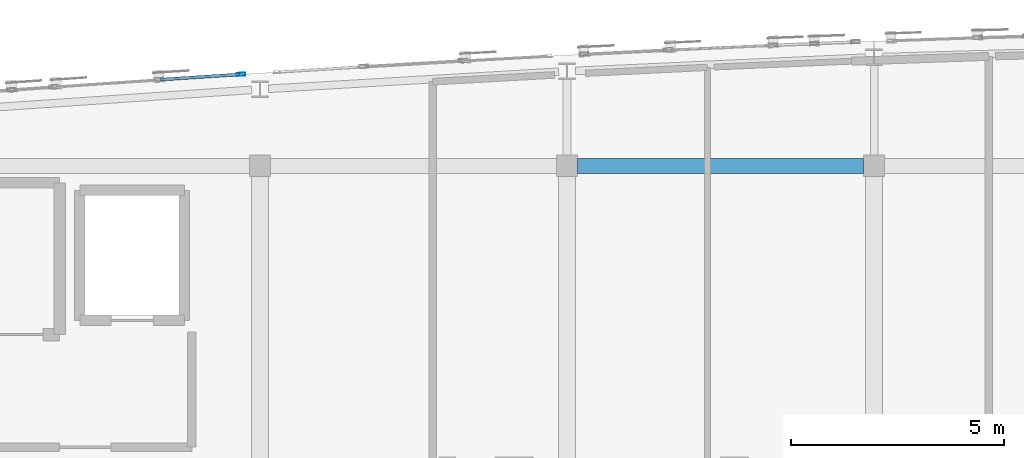
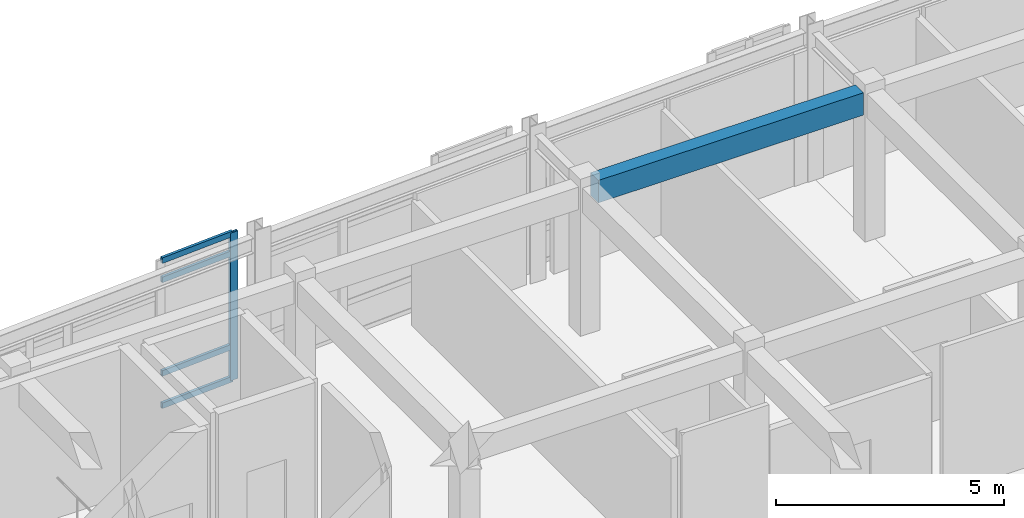
# One storey, part 8 of 24: 5 members, 1 beam, 1 element without a shape of its own.
"""IFC4 building model written with IfcOpenShell, lengths in metres."""

from ifc_helpers import new_model, si_unit, direction, frame, origin, origin_2d, place, context, subcontext, project, spatial, rectangle, hollow_rectangle, extrude, material, layer, layer_set, material_profile, profile_set, type_object, element, aggregate, save


model = new_model("IFC4")

# Units and contexts
model_context = context("Model", 3, precision=1e-05, world=origin(), true_north=direction((0.0, 1.0)))
body_context = subcontext(model_context, "Body", "Model", "MODEL_VIEW")
ifc_project = project(units=[si_unit("LENGTHUNIT", "METRE"), si_unit("AREAUNIT", "SQUARE_METRE"), si_unit("VOLUMEUNIT", "CUBIC_METRE"), si_unit("PLANEANGLEUNIT", "RADIAN"), si_unit("MASSUNIT", "GRAM", prefix="KILO")], contexts=[model_context])

# Site, building, storey
site_placement = place(None, origin())
site = spatial("IfcSite", under=ifc_project, at=site_placement, CompositionType="ELEMENT")
building_placement = place(site_placement, origin())
building = spatial("IfcBuilding", under=site, at=building_placement, Name="Carrowvane Square Congress Hotel", CompositionType="ELEMENT")
storey_placement = place(building_placement, frame((0.0, 0.0, 44.39990234375)))
storey = spatial("IfcBuildingStorey", under=building, at=storey_placement, Name="L11", CompositionType="ELEMENT", Elevation=44.39990234375)

# Beam
ifc_material_1 = material(Name="Concrete C35/45", Category="concrete")
ifc_material_profile_1 = material_profile(ifc_material_1, rectangle(XDim=0.35009765625, YDim=0.60009765625, at=origin_2d()), Name="RC 350x600")
ifc_profile_set_1 = profile_set([ifc_material_profile_1], Name="Concrete C35/45")
beam_type = type_object("IfcBeamType", Name="BM-RC-350x600", PredefinedType="BEAM", material=ifc_profile_set_1)
beam_placement = place(storey_placement, frame((76.64990234375, 113.39990234375, 3.650146484375), z_axis=(1.0, 0.0, 0.0), x_axis=(0.0, 1.0, 0.0)))
element("IfcBeam", 1, at=beam_placement, inside=storey, type_object=beam_type, Name="RF girder R/10-11", PredefinedType="BEAM", context=body_context, shape_type="SweptSolid", body=[
    extrude(rectangle(XDim=0.35009765625, YDim=0.60009765625, at=origin_2d()), origin(), (0.0, 0.0, 1.0), 6.7001953125),
])

# Curtain wall, members
ifc_material_2 = material(Name="Anodised aluminium", Category="aluminium")
ifc_layer = layer(ifc_material_2, 0.174072265625)
ifc_layer_set = layer_set([ifc_layer], Name="Anodised aluminium")
curtain_wall_type = type_object("IfcCurtainWallType", Name="CW-SYS-2", PredefinedType="NOTDEFINED", material=ifc_layer_set)
curtain_wall_placement = place(storey_placement, origin())
curtain_wall = element("IfcCurtainWall", 2, at=curtain_wall_placement, inside=storey, type_object=curtain_wall_type, Name="L11 unitised curtain wall 593", PredefinedType="NOTDEFINED")
ifc_material_3 = material(Name="Anodised aluminium", Category="aluminium")
ifc_material_profile_2 = material_profile(ifc_material_3, hollow_rectangle(XDim=0.070068359375, YDim=0.199951171875, WallThickness=0.0048828125, at=origin_2d()), Name="CW-ML 70x200x5")
ifc_profile_set_2 = profile_set([ifc_material_profile_2], Name="Anodised aluminium")
member_type_1 = type_object("IfcMemberType", Name="CW-MUL-2", PredefinedType="MULLION", material=ifc_profile_set_2)
member_1_placement = place(storey_placement, frame((68.756591796875, 115.545166015625, 0.0), z_axis=(0.0, 0.0, 1.0), x_axis=(-0.065412223074, 0.997858327155, 0.0)))
member_1 = element("IfcMember", 3, at=member_1_placement, type_object=member_type_1, Name="CW-2 mullion 2", PredefinedType="MULLION", context=body_context, shape_type="SweptSolid", body=[
    extrude(hollow_rectangle(XDim=0.070068359375, YDim=0.199951171875, WallThickness=0.0048828125, at=origin_2d()), origin(), (0.0, 0.0, 1.0), 3.9501953125),
])
ifc_material_4 = material(Name="Anodised aluminium", Category="aluminium")
ifc_material_profile_3 = material_profile(ifc_material_4, hollow_rectangle(XDim=0.070068359375, YDim=0.14990234375, WallThickness=0.0048828125, at=origin_2d()), Name="CW-TR 70x150x5")
ifc_profile_set_3 = profile_set([ifc_material_profile_3], Name="Anodised aluminium")
member_type_2 = type_object("IfcMemberType", Name="CW-TRN-2", PredefinedType="USERDEFINED", material=ifc_profile_set_3)
member_2_placement = place(storey_placement, frame((66.869873046875, 115.421630859375, 0.03515625), z_axis=(0.997860186588, 0.065383851382, 0.0), x_axis=(-0.065383851382, 0.997860186588, 0.0)))
member_2 = element("IfcMember", 4, at=member_2_placement, type_object=member_type_2, Name="CW-2 transom 1.1", ObjectType="TRANSOM", PredefinedType="USERDEFINED", context=body_context, shape_type="SweptSolid", body=[
    extrude(hollow_rectangle(XDim=0.070068359375, YDim=0.14990234375, WallThickness=0.0048828125, at=origin_2d()), origin(), (0.0, 0.0, 1.0), 1.855712890625),
])
member_3_placement = place(storey_placement, frame((66.869873046875, 115.421630859375, 0.900146484375), z_axis=(0.997860186588, 0.065383851382, 0.0), x_axis=(-0.065383851382, 0.997860186588, 0.0)))
member_3 = element("IfcMember", 5, at=member_3_placement, type_object=member_type_2, Name="CW-2 transom 1.2", ObjectType="TRANSOM", PredefinedType="USERDEFINED", context=body_context, shape_type="SweptSolid", body=[
    extrude(hollow_rectangle(XDim=0.070068359375, YDim=0.14990234375, WallThickness=0.0048828125, at=origin_2d()), origin(), (0.0, 0.0, 1.0), 1.855712890625),
])
member_4_placement = place(storey_placement, frame((66.869873046875, 115.421630859375, 3.400146484375), z_axis=(0.997860186588, 0.065383851382, 0.0), x_axis=(-0.065383851382, 0.997860186588, 0.0)))
member_4 = element("IfcMember", 6, at=member_4_placement, type_object=member_type_2, Name="CW-2 transom 1.3", ObjectType="TRANSOM", PredefinedType="USERDEFINED", context=body_context, shape_type="SweptSolid", body=[
    extrude(hollow_rectangle(XDim=0.070068359375, YDim=0.14990234375, WallThickness=0.0048828125, at=origin_2d()), origin(), (0.0, 0.0, 1.0), 1.855712890625),
])
member_5_placement = place(storey_placement, frame((66.869873046875, 115.421630859375, 3.9150390625), z_axis=(0.997860186588, 0.065383851382, 0.0), x_axis=(-0.065383851382, 0.997860186588, 0.0)))
member_5 = element("IfcMember", 7, at=member_5_placement, type_object=member_type_2, Name="CW-2 transom 1.4", ObjectType="TRANSOM", PredefinedType="USERDEFINED", context=body_context, shape_type="SweptSolid", body=[
    extrude(hollow_rectangle(XDim=0.070068359375, YDim=0.14990234375, WallThickness=0.0048828125, at=origin_2d()), origin(), (0.0, 0.0, 1.0), 1.855712890625),
])
aggregate(curtain_wall, [member_1, member_2, member_3, member_4, member_5])

save(model, "model.ifc")
